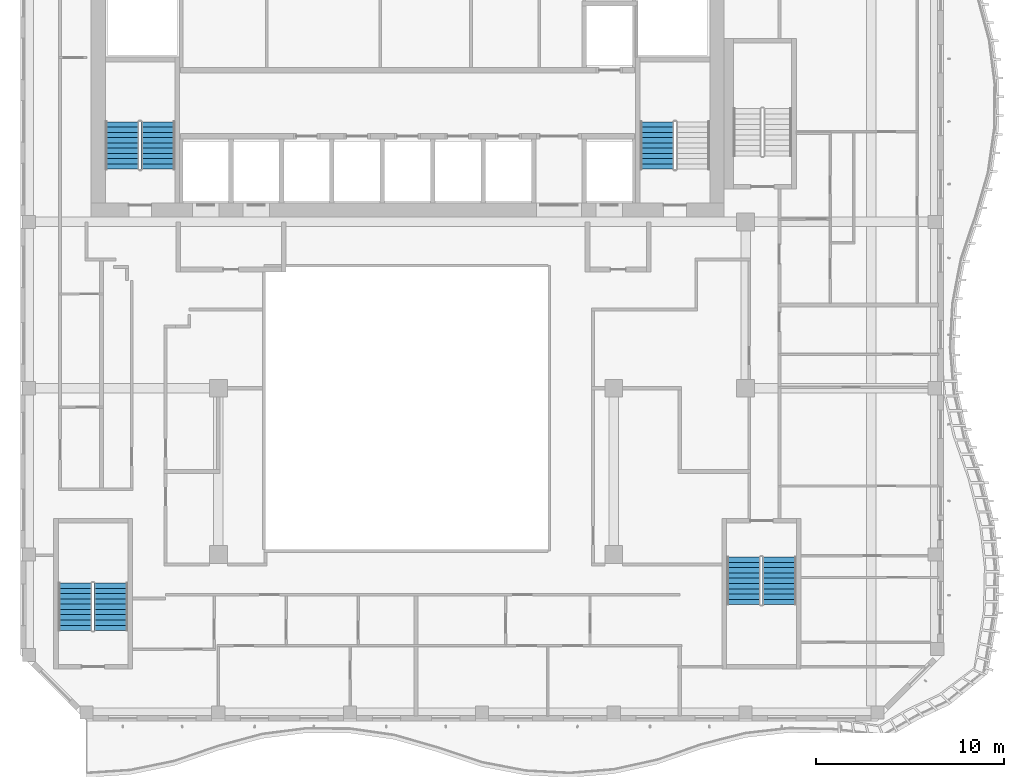
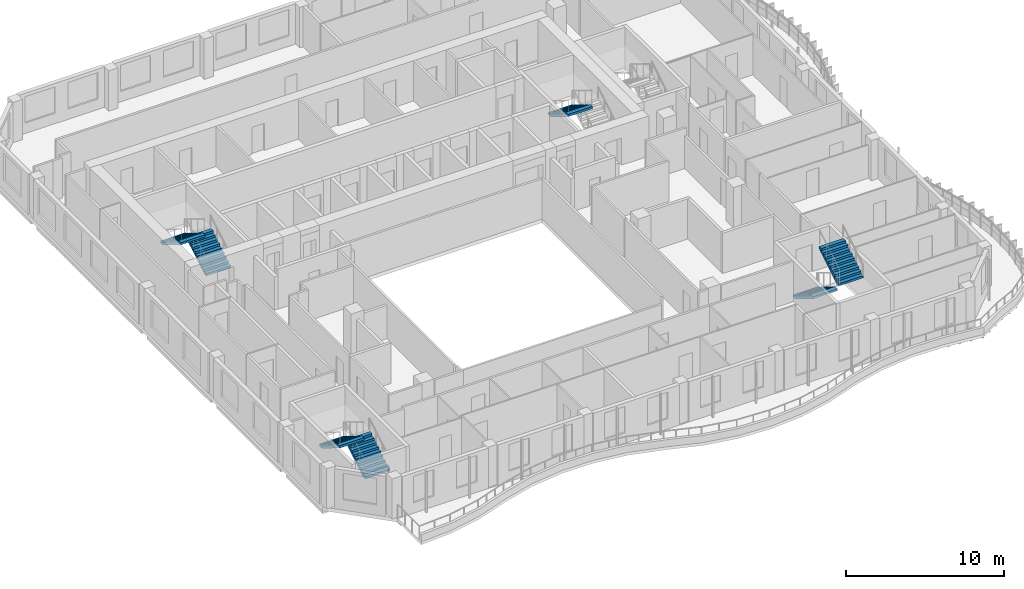
# One storey, part 10 of 19: 7 stair flights, 4 elements without a shape of their own.
"""IFC4 building model written with IfcOpenShell, lengths in metres."""

import ifcopenshell
import ifcopenshell.guid

model = None  # the IFC model being written
_history = None  # IfcOwnerHistory: only IFC2X3 demands one
_inside = {}  # id of a spatial element -> (the spatial element, [elements in it])
_under = {}  # id of a project, library or spatial element -> (it, [spatial elements below it])
_declared = {}  # id of a project -> (the project, [libraries it declares])
_typed = {}  # id of a type object -> (the type object, [elements of that type])
_made_of = {}  # id of a material, layer set ... -> (it, [elements and type objects made of it])


def new_model(schema):
    """Start an empty IFC model of exactly this schema.

    Asked for "IFC4X3", IfcOpenShell would pick the latest addendum, in which some entities
    have other attributes; the version numbers below select the first issue.
    IFC2X3 requires an IfcOwnerHistory on every rooted entity: one is made here for all.
    """
    global model, _history
    if schema == "IFC4X3":
        model = ifcopenshell.file(schema_version=(4, 3, 0, 0))
    else:
        model = ifcopenshell.file(schema=schema)
    _inside.clear()
    _under.clear()
    _declared.clear()
    _typed.clear()
    _made_of.clear()
    _history = None
    if model.schema == "IFC2X3":
        org = make("IfcOrganization", Name="unknown")
        user = make(
            "IfcPersonAndOrganization",
            ThePerson=make("IfcPerson", FamilyName="unknown"),
            TheOrganization=org,
        )
        app = make(
            "IfcApplication",
            ApplicationDeveloper=org,
            Version="unknown",
            ApplicationFullName="unknown",
            ApplicationIdentifier="unknown",
        )
        _history = make(
            "IfcOwnerHistory",
            OwningUser=user,
            OwningApplication=app,
            ChangeAction="ADDED",
            CreationDate=0,
        )
    return model


def make(cls, **values):
    """One entity of the class cls with the attributes given. An attribute that is None is left unset."""
    return model.create_entity(
        cls, **{name: value for name, value in values.items() if value is not None}
    )


def rooted(cls, **values):
    """An entity with a GlobalId (a new one), such as an element, a storey or a relation."""
    return make(cls, GlobalId=ifcopenshell.guid.new(), OwnerHistory=_history, **values)


def si_unit(unit_type, name, prefix=None):
    """IfcSIUnit, for example si_unit("LENGTHUNIT", "METRE", prefix="MILLI")."""
    return make("IfcSIUnit", UnitType=unit_type, Prefix=prefix, Name=name)


def assignment(units):
    """IfcUnitAssignment: the units of a project."""
    return None if units is None else make("IfcUnitAssignment", Units=units)


def point(xyz):
    """IfcCartesianPoint."""
    return None if xyz is None else make("IfcCartesianPoint", Coordinates=xyz)


def direction(xyz):
    """IfcDirection."""
    return None if xyz is None else make("IfcDirection", DirectionRatios=xyz)


def frame(location, z_axis=None, x_axis=None):
    """IfcAxis2Placement3D, a coordinate frame: its origin and axes. An axis left out is left unset."""
    return make(
        "IfcAxis2Placement3D",
        Location=point(location),
        Axis=direction(z_axis),
        RefDirection=direction(x_axis),
    )


def origin():
    """The frame at (0, 0, 0) with its axes left unset."""
    return frame((0.0, 0.0, 0.0))


def place(relative_to, where):
    """IfcLocalPlacement: puts the frame where relative to a parent placement (None: the world)."""
    return make(
        "IfcLocalPlacement", PlacementRelTo=relative_to, RelativePlacement=where
    )


def context(
    kind, dimensions, precision=None, world=None, true_north=None, identifier=None
):
    """IfcGeometricRepresentationContext, for example the 3D "Model" context."""
    return make(
        "IfcGeometricRepresentationContext",
        ContextIdentifier=identifier,
        ContextType=kind,
        CoordinateSpaceDimension=dimensions,
        Precision=precision,
        WorldCoordinateSystem=world,
        TrueNorth=true_north,
    )


def subcontext(parent, identifier, kind, view, scale=None):
    """IfcGeometricRepresentationSubContext, for example "Body" below "Model"."""
    return make(
        "IfcGeometricRepresentationSubContext",
        ContextIdentifier=identifier,
        ContextType=kind,
        ParentContext=parent,
        TargetScale=scale,
        TargetView=view,
    )


def project(units=None, contexts=None):
    """IfcProject with its units and contexts."""
    return rooted(
        "IfcProject",
        Name="project",
        RepresentationContexts=contexts,
        UnitsInContext=assignment(units),
    )


def spatial(cls, under=None, at=None, **own):
    """A site, building, storey or space (cls), placed at a placement, below another one or the project."""
    s = rooted(cls, ObjectPlacement=at, **own)
    if under is not None:
        _under.setdefault(under.id(), (under, []))[1].append(s)
    return s


def point_list(points):
    """IfcCartesianPointList2D or 3D."""
    cls = (
        "IfcCartesianPointList2D" if len(points[0]) == 2 else "IfcCartesianPointList3D"
    )
    return make(cls, CoordList=points)


def triangles(points, corners, closed=None, point_numbers=None):
    """IfcTriangulatedFaceSet: each triangle names its three corners, points numbered from 1."""
    return make(
        "IfcTriangulatedFaceSet",
        Coordinates=point_list(points),
        Closed=closed,
        CoordIndex=corners,
        PnIndex=point_numbers,
    )


def shape(context_of_items, identifier, shape_type, items):
    """IfcShapeRepresentation: the items that make up one representation, for example the "Body"."""
    return make(
        "IfcShapeRepresentation",
        ContextOfItems=context_of_items,
        RepresentationIdentifier=identifier,
        RepresentationType=shape_type,
        Items=items,
    )


def source(mapping_origin, context_of_items, identifier, shape_type, items):
    """IfcRepresentationMap: a shape defined once, which mapped items show again and again."""
    return make(
        "IfcRepresentationMap",
        MappingOrigin=mapping_origin,
        MappedRepresentation=shape(context_of_items, identifier, shape_type, items),
    )


def transform(
    local_origin,
    x_axis=None,
    y_axis=None,
    z_axis=None,
    scale=None,
    scale2=None,
    scale3=None,
    uniform=True,
):
    """IfcCartesianTransformationOperator3D, or its non-uniform kind. x_axis, y_axis, z_axis: its Axis1, 2, 3."""
    if uniform:
        return make(
            "IfcCartesianTransformationOperator3D",
            Axis1=direction(x_axis),
            Axis2=direction(y_axis),
            LocalOrigin=point(local_origin),
            Scale=scale,
            Axis3=direction(z_axis),
        )
    return make(
        "IfcCartesianTransformationOperator3DnonUniform",
        Axis1=direction(x_axis),
        Axis2=direction(y_axis),
        LocalOrigin=point(local_origin),
        Scale=scale,
        Axis3=direction(z_axis),
        Scale2=scale2,
        Scale3=scale3,
    )


def mapped(mapping_source, mapping_target):
    """IfcMappedItem: shows the shape of a source again, moved by a transform."""
    return make(
        "IfcMappedItem", MappingSource=mapping_source, MappingTarget=mapping_target
    )


def material(Name=None, Category=None):
    """IfcMaterial."""
    return make("IfcMaterial", Name=Name, Category=Category)


def made_of(thing, what):
    """Note that an element or type object is made of a material, layer set ...; save() writes the relation."""
    if what is not None:
        _made_of.setdefault(what.id(), (what, []))[1].append(thing)
    return thing


def type_object(cls, material=None, **own):
    """A type object (cls), such as IfcWallType, which elements share."""
    return made_of(rooted(cls, **own), material)


def element(
    cls,
    number,
    at=None,
    inside=None,
    cuts=None,
    type_object=None,
    material=None,
    context=None,
    identifier="Body",
    shape_type=None,
    held_by="IfcProductDefinitionShape",
    body=None,
    shapes=None,
    **own,
):
    """One element of the class cls, such as IfcWall. Its Tag is "e" and its number.

    at: its placement. inside: the storey or other place that contains it. cuts: it is an
    opening in that element (IfcRelVoidsElement). A single representation is given by context,
    identifier, shape_type and body (its items); several are given by shapes. held_by: the class
    of the entity that holds the representations. save() writes the other relations.
    """
    e = rooted(cls, Tag="e%d" % number, ObjectPlacement=at, **own)
    if body is not None:
        shapes = [shape(context, identifier, shape_type, body)]
    if shapes is not None:
        e.Representation = make(held_by, Representations=shapes)
    if inside is not None:
        _inside.setdefault(inside.id(), (inside, []))[1].append(e)
    if cuts is not None:
        rooted(
            "IfcRelVoidsElement", RelatingBuildingElement=cuts, RelatedOpeningElement=e
        )
    if type_object is not None:
        _typed.setdefault(type_object.id(), (type_object, []))[1].append(e)
    return made_of(e, material)


def aggregate(whole, parts):
    """IfcRelAggregates: a whole, such as a stair, and the parts it consists of."""
    return rooted("IfcRelAggregates", RelatingObject=whole, RelatedObjects=parts)


def save(model, path):
    """Write the relations noted so far, then the file.

    IfcRelAggregates (storeys below a building ...), IfcRelContainedInSpatialStructure (elements
    in a storey), IfcRelDefinesByType, IfcRelAssociatesMaterial and IfcRelDeclares: one each for
    every whole, place, type object, material and project.
    """
    for whole, parts in _under.values():
        aggregate(whole, parts)
    for where, things in _inside.values():
        rooted(
            "IfcRelContainedInSpatialStructure",
            RelatedElements=things,
            RelatingStructure=where,
        )
    for kind, things in _typed.values():
        rooted("IfcRelDefinesByType", RelatedObjects=things, RelatingType=kind)
    for what, things in _made_of.values():
        rooted("IfcRelAssociatesMaterial", RelatedObjects=things, RelatingMaterial=what)
    for by, libraries in _declared.values():
        rooted("IfcRelDeclares", RelatingContext=by, RelatedDefinitions=libraries)
    model.write(path)


model = new_model("IFC4")

# Units and contexts
model_context = context("Model", 3, precision=1e-05, world=origin(), true_north=direction((0.0, 1.0)))
body_context = subcontext(model_context, "Body", "Model", "MODEL_VIEW")
ifc_project = project(units=[si_unit("LENGTHUNIT", "METRE"), si_unit("AREAUNIT", "SQUARE_METRE"), si_unit("VOLUMEUNIT", "CUBIC_METRE"), si_unit("PLANEANGLEUNIT", "RADIAN"), si_unit("MASSUNIT", "GRAM", prefix="KILO")], contexts=[model_context])

# Site, building, storey
site_placement = place(None, origin())
site = spatial("IfcSite", under=ifc_project, at=site_placement, CompositionType="ELEMENT")
building_placement = place(site_placement, origin())
building = spatial("IfcBuilding", under=site, at=building_placement, Name="Kilnfold Tower and Market Hall", CompositionType="ELEMENT")
storey_placement = place(building_placement, frame((0.0, 0.0, 252.60009765625)))
storey = spatial("IfcBuildingStorey", under=building, at=storey_placement, Name="L61", CompositionType="ELEMENT", Elevation=252.60009765625)

# Stair, stair flights
ifc_material_1 = material(Name="Concrete C40/50", Category="concrete")
stair_type = type_object("IfcStairType", Name="CORE STAIR 1800", PredefinedType="HALF_TURN_STAIR", material=ifc_material_1)
stair_1_placement = place(storey_placement, origin())
stair_1 = element("IfcStair", 1, at=stair_1_placement, inside=storey, type_object=stair_type, Name="L61 ST1", PredefinedType="HALF_TURN_STAIR")
ifc_material_2 = material(Name="Concrete C40/50", Category="concrete")
stair_flight_type = type_object("IfcStairFlightType", Name="CORE STAIR FLIGHT 1800", PredefinedType="STRAIGHT", material=ifc_material_2)
shared_shape = source(origin(), body_context, "Body", "Tessellation", [
    triangles([(0.0, 0.89990234375, 0.0), (0.0, 0.78759765625, 0.0), (0.0, 0.675048828125, 0.0), (0.0, 0.5625, 0.0), (0.0, 0.449951171875, 0.0), (0.0, 0.33740234375, 0.0), (0.0, 0.22509765625, 0.0), (0.0, 0.112548828125, 0.0), (0.0, 0.0, 0.0), (0.0, -0.112548828125, 0.0), (0.0, -0.22509765625, 0.0), (0.0, -0.33740234375, 0.0), (0.0, -0.449951171875, 0.0), (0.0, -0.5625, 0.0), (0.0, -0.675048828125, 0.0), (0.0, -0.78759765625, 0.0), (0.0, -0.89990234375, 0.0), (0.0, 0.89990234375, 0.169921875), (0.0, 0.78759765625, 0.169921875), (0.0, 0.675048828125, 0.169921875), (0.0, 0.5625, 0.169921875), (0.0, 0.449951171875, 0.169921875), (0.0, 0.33740234375, 0.169921875), (0.0, 0.22509765625, 0.169921875), (0.0, 0.112548828125, 0.169921875), (0.0, 0.0, 0.169921875), (0.0, -0.112548828125, 0.169921875), (0.0, -0.22509765625, 0.169921875), (0.0, -0.33740234375, 0.169921875), (0.0, -0.449951171875, 0.169921875), (0.0, -0.5625, 0.169921875), (0.0, -0.675048828125, 0.169921875), (0.0, -0.78759765625, 0.169921875), (0.0, -0.89990234375, 0.169921875), (0.280029296875, 0.89990234375, 0.169921875), (0.280029296875, 0.78759765625, 0.169921875), (0.280029296875, 0.675048828125, 0.169921875), (0.280029296875, 0.5625, 0.169921875), (0.280029296875, 0.449951171875, 0.169921875), (0.280029296875, 0.33740234375, 0.169921875), (0.280029296875, 0.22509765625, 0.169921875), (0.280029296875, 0.112548828125, 0.169921875), (0.280029296875, 0.0, 0.169921875), (0.280029296875, -0.112548828125, 0.169921875), (0.280029296875, -0.22509765625, 0.169921875), (0.280029296875, -0.33740234375, 0.169921875), (0.280029296875, -0.449951171875, 0.169921875), (0.280029296875, -0.5625, 0.169921875), (0.280029296875, -0.675048828125, 0.169921875), (0.280029296875, -0.78759765625, 0.169921875), (0.280029296875, -0.89990234375, 0.169921875), (0.280029296875, 0.89990234375, 0.340087890625), (0.280029296875, 0.78759765625, 0.340087890625), (0.280029296875, 0.675048828125, 0.340087890625), (0.280029296875, 0.5625, 0.340087890625), (0.280029296875, 0.449951171875, 0.340087890625), (0.280029296875, 0.33740234375, 0.340087890625), (0.280029296875, 0.22509765625, 0.340087890625), (0.280029296875, 0.112548828125, 0.340087890625), (0.280029296875, 0.0, 0.340087890625), (0.280029296875, -0.112548828125, 0.340087890625), (0.280029296875, -0.22509765625, 0.340087890625), (0.280029296875, -0.33740234375, 0.340087890625), (0.280029296875, -0.449951171875, 0.340087890625), (0.280029296875, -0.5625, 0.340087890625), (0.280029296875, -0.675048828125, 0.340087890625), (0.280029296875, -0.78759765625, 0.340087890625), (0.280029296875, -0.89990234375, 0.340087890625), (0.56005859375, 0.89990234375, 0.340087890625), (0.56005859375, 0.78759765625, 0.340087890625), (0.56005859375, 0.675048828125, 0.340087890625), (0.56005859375, 0.5625, 0.340087890625), (0.56005859375, 0.449951171875, 0.340087890625), (0.56005859375, 0.33740234375, 0.340087890625), (0.56005859375, 0.22509765625, 0.340087890625), (0.56005859375, 0.112548828125, 0.340087890625), (0.56005859375, 0.0, 0.340087890625), (0.56005859375, -0.112548828125, 0.340087890625), (0.56005859375, -0.22509765625, 0.340087890625), (0.56005859375, -0.33740234375, 0.340087890625), (0.56005859375, -0.449951171875, 0.340087890625), (0.56005859375, -0.5625, 0.340087890625), (0.56005859375, -0.675048828125, 0.340087890625), (0.56005859375, -0.78759765625, 0.340087890625), (0.56005859375, -0.89990234375, 0.340087890625), (0.56005859375, 0.89990234375, 0.510009765625), (0.56005859375, 0.78759765625, 0.510009765625), (0.56005859375, 0.675048828125, 0.510009765625), (0.56005859375, 0.5625, 0.510009765625), (0.56005859375, 0.449951171875, 0.510009765625), (0.56005859375, 0.33740234375, 0.510009765625), (0.56005859375, 0.22509765625, 0.510009765625), (0.56005859375, 0.112548828125, 0.510009765625), (0.56005859375, 0.0, 0.510009765625), (0.56005859375, -0.112548828125, 0.510009765625), (0.56005859375, -0.22509765625, 0.510009765625), (0.56005859375, -0.33740234375, 0.510009765625), (0.56005859375, -0.449951171875, 0.510009765625), (0.56005859375, -0.5625, 0.510009765625), (0.56005859375, -0.675048828125, 0.510009765625), (0.56005859375, -0.78759765625, 0.510009765625), (0.56005859375, -0.89990234375, 0.510009765625), (0.840087890625, 0.89990234375, 0.510009765625), (0.840087890625, 0.78759765625, 0.510009765625), (0.840087890625, 0.675048828125, 0.510009765625), (0.840087890625, 0.5625, 0.510009765625), (0.840087890625, 0.449951171875, 0.510009765625), (0.840087890625, 0.33740234375, 0.510009765625), (0.840087890625, 0.22509765625, 0.510009765625), (0.840087890625, 0.112548828125, 0.510009765625), (0.840087890625, 0.0, 0.510009765625), (0.840087890625, -0.112548828125, 0.510009765625), (0.840087890625, -0.22509765625, 0.510009765625), (0.840087890625, -0.33740234375, 0.510009765625), (0.840087890625, -0.449951171875, 0.510009765625), (0.840087890625, -0.5625, 0.510009765625), (0.840087890625, -0.675048828125, 0.510009765625), (0.840087890625, -0.78759765625, 0.510009765625), (0.840087890625, -0.89990234375, 0.510009765625), (0.840087890625, 0.89990234375, 0.679931640625), (0.840087890625, 0.78759765625, 0.679931640625), (0.840087890625, 0.675048828125, 0.679931640625), (0.840087890625, 0.5625, 0.679931640625), (0.840087890625, 0.449951171875, 0.679931640625), (0.840087890625, 0.33740234375, 0.679931640625), (0.840087890625, 0.22509765625, 0.679931640625), (0.840087890625, 0.112548828125, 0.679931640625), (0.840087890625, 0.0, 0.679931640625), (0.840087890625, -0.112548828125, 0.679931640625), (0.840087890625, -0.22509765625, 0.679931640625), (0.840087890625, -0.33740234375, 0.679931640625), (0.840087890625, -0.449951171875, 0.679931640625), (0.840087890625, -0.5625, 0.679931640625), (0.840087890625, -0.675048828125, 0.679931640625), (0.840087890625, -0.78759765625, 0.679931640625), (0.840087890625, -0.89990234375, 0.679931640625), (1.1201171875, 0.89990234375, 0.679931640625), (1.1201171875, 0.78759765625, 0.679931640625), (1.1201171875, 0.675048828125, 0.679931640625), (1.1201171875, 0.5625, 0.679931640625), (1.1201171875, 0.449951171875, 0.679931640625), (1.1201171875, 0.33740234375, 0.679931640625), (1.1201171875, 0.22509765625, 0.679931640625), (1.1201171875, 0.112548828125, 0.679931640625), (1.1201171875, 0.0, 0.679931640625), (1.1201171875, -0.112548828125, 0.679931640625), (1.1201171875, -0.22509765625, 0.679931640625), (1.1201171875, -0.33740234375, 0.679931640625), (1.1201171875, -0.449951171875, 0.679931640625), (1.1201171875, -0.5625, 0.679931640625), (1.1201171875, -0.675048828125, 0.679931640625), (1.1201171875, -0.78759765625, 0.679931640625), (1.1201171875, -0.89990234375, 0.679931640625), (1.1201171875, 0.89990234375, 0.85009765625), (1.1201171875, 0.78759765625, 0.85009765625), (1.1201171875, 0.675048828125, 0.85009765625), (1.1201171875, 0.5625, 0.85009765625), (1.1201171875, 0.449951171875, 0.85009765625), (1.1201171875, 0.33740234375, 0.85009765625), (1.1201171875, 0.22509765625, 0.85009765625), (1.1201171875, 0.112548828125, 0.85009765625), (1.1201171875, 0.0, 0.85009765625), (1.1201171875, -0.112548828125, 0.85009765625), (1.1201171875, -0.22509765625, 0.85009765625), (1.1201171875, -0.33740234375, 0.85009765625), (1.1201171875, -0.449951171875, 0.85009765625), (1.1201171875, -0.5625, 0.85009765625), (1.1201171875, -0.675048828125, 0.85009765625), (1.1201171875, -0.78759765625, 0.85009765625), (1.1201171875, -0.89990234375, 0.85009765625), (1.39990234375, 0.89990234375, 0.85009765625), (1.39990234375, 0.78759765625, 0.85009765625), (1.39990234375, 0.675048828125, 0.85009765625), (1.39990234375, 0.5625, 0.85009765625), (1.39990234375, 0.449951171875, 0.85009765625), (1.39990234375, 0.33740234375, 0.85009765625), (1.39990234375, 0.22509765625, 0.85009765625), (1.39990234375, 0.112548828125, 0.85009765625), (1.39990234375, 0.0, 0.85009765625), (1.39990234375, -0.112548828125, 0.85009765625), (1.39990234375, -0.22509765625, 0.85009765625), (1.39990234375, -0.33740234375, 0.85009765625), (1.39990234375, -0.449951171875, 0.85009765625), (1.39990234375, -0.5625, 0.85009765625), (1.39990234375, -0.675048828125, 0.85009765625), (1.39990234375, -0.78759765625, 0.85009765625), (1.39990234375, -0.89990234375, 0.85009765625), (1.39990234375, 0.89990234375, 1.02001953125), (1.39990234375, 0.78759765625, 1.02001953125), (1.39990234375, 0.675048828125, 1.02001953125), (1.39990234375, 0.5625, 1.02001953125), (1.39990234375, 0.449951171875, 1.02001953125), (1.39990234375, 0.33740234375, 1.02001953125), (1.39990234375, 0.22509765625, 1.02001953125), (1.39990234375, 0.112548828125, 1.02001953125), (1.39990234375, 0.0, 1.02001953125), (1.39990234375, -0.112548828125, 1.02001953125), (1.39990234375, -0.22509765625, 1.02001953125), (1.39990234375, -0.33740234375, 1.02001953125), (1.39990234375, -0.449951171875, 1.02001953125), (1.39990234375, -0.5625, 1.02001953125), (1.39990234375, -0.675048828125, 1.02001953125), (1.39990234375, -0.78759765625, 1.02001953125), (1.39990234375, -0.89990234375, 1.02001953125), (1.679931640625, 0.89990234375, 1.02001953125), (1.679931640625, 0.78759765625, 1.02001953125), (1.679931640625, 0.675048828125, 1.02001953125), (1.679931640625, 0.5625, 1.02001953125), (1.679931640625, 0.449951171875, 1.02001953125), (1.679931640625, 0.33740234375, 1.02001953125), (1.679931640625, 0.22509765625, 1.02001953125), (1.679931640625, 0.112548828125, 1.02001953125), (1.679931640625, 0.0, 1.02001953125), (1.679931640625, -0.112548828125, 1.02001953125), (1.679931640625, -0.22509765625, 1.02001953125), (1.679931640625, -0.33740234375, 1.02001953125), (1.679931640625, -0.449951171875, 1.02001953125), (1.679931640625, -0.5625, 1.02001953125), (1.679931640625, -0.675048828125, 1.02001953125), (1.679931640625, -0.78759765625, 1.02001953125), (1.679931640625, -0.89990234375, 1.02001953125), (1.679931640625, 0.89990234375, 1.18994140625), (1.679931640625, 0.78759765625, 1.18994140625), (1.679931640625, 0.675048828125, 1.18994140625), (1.679931640625, 0.5625, 1.18994140625), (1.679931640625, 0.449951171875, 1.18994140625), (1.679931640625, 0.33740234375, 1.18994140625), (1.679931640625, 0.22509765625, 1.18994140625), (1.679931640625, 0.112548828125, 1.18994140625), (1.679931640625, 0.0, 1.18994140625), (1.679931640625, -0.112548828125, 1.18994140625), (1.679931640625, -0.22509765625, 1.18994140625), (1.679931640625, -0.33740234375, 1.18994140625), (1.679931640625, -0.449951171875, 1.18994140625), (1.679931640625, -0.5625, 1.18994140625), (1.679931640625, -0.675048828125, 1.18994140625), (1.679931640625, -0.78759765625, 1.18994140625), (1.679931640625, -0.89990234375, 1.18994140625), (1.9599609375, 0.89990234375, 1.18994140625), (1.9599609375, 0.78759765625, 1.18994140625), (1.9599609375, 0.675048828125, 1.18994140625), (1.9599609375, 0.5625, 1.18994140625), (1.9599609375, 0.449951171875, 1.18994140625), (1.9599609375, 0.33740234375, 1.18994140625), (1.9599609375, 0.22509765625, 1.18994140625), (1.9599609375, 0.112548828125, 1.18994140625), (1.9599609375, 0.0, 1.18994140625), (1.9599609375, -0.112548828125, 1.18994140625), (1.9599609375, -0.22509765625, 1.18994140625), (1.9599609375, -0.33740234375, 1.18994140625), (1.9599609375, -0.449951171875, 1.18994140625), (1.9599609375, -0.5625, 1.18994140625), (1.9599609375, -0.675048828125, 1.18994140625), (1.9599609375, -0.78759765625, 1.18994140625), (1.9599609375, -0.89990234375, 1.18994140625), (1.9599609375, 0.89990234375, 1.360107421875), (1.9599609375, 0.78759765625, 1.360107421875), (1.9599609375, 0.675048828125, 1.360107421875), (1.9599609375, 0.5625, 1.360107421875), (1.9599609375, 0.449951171875, 1.360107421875), (1.9599609375, 0.33740234375, 1.360107421875), (1.9599609375, 0.22509765625, 1.360107421875), (1.9599609375, 0.112548828125, 1.360107421875), (1.9599609375, 0.0, 1.360107421875), (1.9599609375, -0.112548828125, 1.360107421875), (1.9599609375, -0.22509765625, 1.360107421875), (1.9599609375, -0.33740234375, 1.360107421875), (1.9599609375, -0.449951171875, 1.360107421875), (1.9599609375, -0.5625, 1.360107421875), (1.9599609375, -0.675048828125, 1.360107421875), (1.9599609375, -0.78759765625, 1.360107421875), (1.9599609375, -0.89990234375, 1.360107421875), (2.239990234375, 0.89990234375, 1.360107421875), (2.239990234375, 0.78759765625, 1.360107421875), (2.239990234375, 0.675048828125, 1.360107421875), (2.239990234375, 0.5625, 1.360107421875), (2.239990234375, 0.449951171875, 1.360107421875), (2.239990234375, 0.33740234375, 1.360107421875), (2.239990234375, 0.22509765625, 1.360107421875), (2.239990234375, 0.112548828125, 1.360107421875), (2.239990234375, 0.0, 1.360107421875), (2.239990234375, -0.112548828125, 1.360107421875), (2.239990234375, -0.22509765625, 1.360107421875), (2.239990234375, -0.33740234375, 1.360107421875), (2.239990234375, -0.449951171875, 1.360107421875), (2.239990234375, -0.5625, 1.360107421875), (2.239990234375, -0.675048828125, 1.360107421875), (2.239990234375, -0.78759765625, 1.360107421875), (2.239990234375, -0.89990234375, 1.360107421875), (2.239990234375, 0.89990234375, 1.530029296875), (2.239990234375, 0.78759765625, 1.530029296875), (2.239990234375, 0.675048828125, 1.530029296875), (2.239990234375, 0.5625, 1.530029296875), (2.239990234375, 0.449951171875, 1.530029296875), (2.239990234375, 0.33740234375, 1.530029296875), (2.239990234375, 0.22509765625, 1.530029296875), (2.239990234375, 0.112548828125, 1.530029296875), (2.239990234375, 0.0, 1.530029296875), (2.239990234375, -0.112548828125, 1.530029296875), (2.239990234375, -0.22509765625, 1.530029296875), (2.239990234375, -0.33740234375, 1.530029296875), (2.239990234375, -0.449951171875, 1.530029296875), (2.239990234375, -0.5625, 1.530029296875), (2.239990234375, -0.675048828125, 1.530029296875), (2.239990234375, -0.78759765625, 1.530029296875), (2.239990234375, -0.89990234375, 1.530029296875), (2.52001953125, 0.89990234375, 1.530029296875), (2.52001953125, 0.78759765625, 1.530029296875), (2.52001953125, 0.675048828125, 1.530029296875), (2.52001953125, 0.5625, 1.530029296875), (2.52001953125, 0.449951171875, 1.530029296875), (2.52001953125, 0.33740234375, 1.530029296875), (2.52001953125, 0.22509765625, 1.530029296875), (2.52001953125, 0.112548828125, 1.530029296875), (2.52001953125, 0.0, 1.530029296875), (2.52001953125, -0.112548828125, 1.530029296875), (2.52001953125, -0.22509765625, 1.530029296875), (2.52001953125, -0.33740234375, 1.530029296875), (2.52001953125, -0.449951171875, 1.530029296875), (2.52001953125, -0.5625, 1.530029296875), (2.52001953125, -0.675048828125, 1.530029296875), (2.52001953125, -0.78759765625, 1.530029296875), (2.52001953125, -0.89990234375, 1.530029296875), (2.52001953125, 0.89990234375, 1.354736328125), (2.52001953125, 0.78759765625, 1.354736328125), (2.52001953125, 0.675048828125, 1.354736328125), (2.52001953125, 0.5625, 1.354736328125), (2.52001953125, 0.449951171875, 1.354736328125), (2.52001953125, 0.33740234375, 1.354736328125), (2.52001953125, 0.22509765625, 1.354736328125), (2.52001953125, 0.112548828125, 1.354736328125), (2.52001953125, 0.0, 1.354736328125), (2.52001953125, -0.112548828125, 1.354736328125), (2.52001953125, -0.22509765625, 1.354736328125), (2.52001953125, -0.33740234375, 1.354736328125), (2.52001953125, -0.449951171875, 1.354736328125), (2.52001953125, -0.5625, 1.354736328125), (2.52001953125, -0.675048828125, 1.354736328125), (2.52001953125, -0.78759765625, 1.354736328125), (2.52001953125, -0.89990234375, 1.354736328125), (0.288818359375, 0.89990234375, 0.0), (0.288818359375, 0.78759765625, 0.0), (0.288818359375, 0.675048828125, 0.0), (0.288818359375, 0.5625, 0.0), (0.288818359375, 0.449951171875, 0.0), (0.288818359375, 0.33740234375, 0.0), (0.288818359375, 0.22509765625, 0.0), (0.288818359375, 0.112548828125, 0.0), (0.288818359375, 0.0, 0.0), (0.288818359375, -0.112548828125, 0.0), (0.288818359375, -0.22509765625, 0.0), (0.288818359375, -0.33740234375, 0.0), (0.288818359375, -0.449951171875, 0.0), (0.288818359375, -0.5625, 0.0), (0.288818359375, -0.675048828125, 0.0), (0.288818359375, -0.78759765625, 0.0), (0.288818359375, -0.89990234375, 0.0)], [[1, 324, 341], [17, 357, 340], [324, 290, 307], [340, 323, 306], [324, 273, 290], [340, 306, 289], [324, 256, 273], [340, 289, 272], [324, 239, 256], [340, 272, 255], [239, 205, 222], [255, 238, 221], [324, 205, 239], [340, 255, 221], [205, 171, 188], [221, 204, 187], [324, 171, 205], [340, 221, 187], [171, 137, 154], [187, 170, 153], [324, 137, 171], [340, 187, 153], [137, 103, 120], [153, 136, 119], [324, 103, 137], [340, 153, 119], [103, 69, 86], [119, 102, 85], [324, 69, 103], [340, 119, 85], [69, 35, 52], [85, 68, 51], [324, 35, 69], [340, 85, 51], [1, 35, 324], [17, 340, 51], [35, 1, 18], [51, 34, 17], [1, 19, 18], [1, 2, 19], [2, 20, 19], [2, 3, 20], [3, 21, 20], [3, 4, 21], [4, 22, 21], [4, 5, 22], [5, 23, 22], [5, 6, 23], [6, 24, 23], [6, 7, 24], [7, 25, 24], [7, 8, 25], [8, 26, 25], [8, 9, 26], [9, 27, 26], [9, 10, 27], [10, 28, 27], [10, 11, 28], [11, 29, 28], [11, 12, 29], [12, 30, 29], [12, 13, 30], [13, 31, 30], [13, 14, 31], [14, 32, 31], [14, 15, 32], [15, 33, 32], [15, 16, 33], [16, 34, 33], [16, 17, 34], [18, 36, 35], [18, 19, 36], [19, 37, 36], [19, 20, 37], [20, 38, 37], [20, 21, 38], [21, 39, 38], [21, 22, 39], [22, 40, 39], [22, 23, 40], [23, 41, 40], [23, 24, 41], [24, 42, 41], [24, 25, 42], [25, 43, 42], [25, 26, 43], [26, 44, 43], [26, 27, 44], [27, 45, 44], [27, 28, 45], [28, 46, 45], [28, 29, 46], [29, 47, 46], [29, 30, 47], [30, 48, 47], [30, 31, 48], [31, 49, 48], [31, 32, 49], [32, 50, 49], [32, 33, 50], [33, 51, 50], [33, 34, 51], [35, 53, 52], [35, 36, 53], [36, 54, 53], [36, 37, 54], [37, 55, 54], [37, 38, 55], [38, 56, 55], [38, 39, 56], [39, 57, 56], [39, 40, 57], [40, 58, 57], [40, 41, 58], [41, 59, 58], [41, 42, 59], [42, 60, 59], [42, 43, 60], [43, 61, 60], [43, 44, 61], [44, 62, 61], [44, 45, 62], [45, 63, 62], [45, 46, 63], [46, 64, 63], [46, 47, 64], [47, 65, 64], [47, 48, 65], [48, 66, 65], [48, 49, 66], [49, 67, 66], [49, 50, 67], [50, 68, 67], [50, 51, 68], [52, 70, 69], [52, 53, 70], [53, 71, 70], [53, 54, 71], [54, 72, 71], [54, 55, 72], [55, 73, 72], [55, 56, 73], [56, 74, 73], [56, 57, 74], [57, 75, 74], [57, 58, 75], [58, 76, 75], [58, 59, 76], [59, 77, 76], [59, 60, 77], [60, 78, 77], [60, 61, 78], [61, 79, 78], [61, 62, 79], [62, 80, 79], [62, 63, 80], [63, 81, 80], [63, 64, 81], [64, 82, 81], [64, 65, 82], [65, 83, 82], [65, 66, 83], [66, 84, 83], [66, 67, 84], [67, 85, 84], [67, 68, 85], [69, 87, 86], [69, 70, 87], [70, 88, 87], [70, 71, 88], [71, 89, 88], [71, 72, 89], [72, 90, 89], [72, 73, 90], [73, 91, 90], [73, 74, 91], [74, 92, 91], [74, 75, 92], [75, 93, 92], [75, 76, 93], [76, 94, 93], [76, 77, 94], [77, 95, 94], [77, 78, 95], [78, 96, 95], [78, 79, 96], [79, 97, 96], [79, 80, 97], [80, 98, 97], [80, 81, 98], [81, 99, 98], [81, 82, 99], [82, 100, 99], [82, 83, 100], [83, 101, 100], [83, 84, 101], [84, 102, 101], [84, 85, 102], [86, 104, 103], [86, 87, 104], [87, 105, 104], [87, 88, 105], [88, 106, 105], [88, 89, 106], [89, 107, 106], [89, 90, 107], [90, 108, 107], [90, 91, 108], [91, 109, 108], [91, 92, 109], [92, 110, 109], [92, 93, 110], [93, 111, 110], [93, 94, 111], [94, 112, 111], [94, 95, 112], [95, 113, 112], [95, 96, 113], [96, 114, 113], [96, 97, 114], [97, 115, 114], [97, 98, 115], [98, 116, 115], [98, 99, 116], [99, 117, 116], [99, 100, 117], [100, 118, 117], [100, 101, 118], [101, 119, 118], [101, 102, 119], [103, 121, 120], [103, 104, 121], [104, 122, 121], [104, 105, 122], [105, 123, 122], [105, 106, 123], [106, 124, 123], [106, 107, 124], [107, 125, 124], [107, 108, 125], [108, 126, 125], [108, 109, 126], [109, 127, 126], [109, 110, 127], [110, 128, 127], [110, 111, 128], [111, 129, 128], [111, 112, 129], [112, 130, 129], [112, 113, 130], [113, 131, 130], [113, 114, 131], [114, 132, 131], [114, 115, 132], [115, 133, 132], [115, 116, 133], [116, 134, 133], [116, 117, 134], [117, 135, 134], [117, 118, 135], [118, 136, 135], [118, 119, 136], [120, 138, 137], [120, 121, 138], [121, 139, 138], [121, 122, 139], [122, 140, 139], [122, 123, 140], [123, 141, 140], [123, 124, 141], [124, 142, 141], [124, 125, 142], [125, 143, 142], [125, 126, 143], [126, 144, 143], [126, 127, 144], [127, 145, 144], [127, 128, 145], [128, 146, 145], [128, 129, 146], [129, 147, 146], [129, 130, 147], [130, 148, 147], [130, 131, 148], [131, 149, 148], [131, 132, 149], [132, 150, 149], [132, 133, 150], [133, 151, 150], [133, 134, 151], [134, 152, 151], [134, 135, 152], [135, 153, 152], [135, 136, 153], [137, 155, 154], [137, 138, 155], [138, 156, 155], [138, 139, 156], [139, 157, 156], [139, 140, 157], [140, 158, 157], [140, 141, 158], [141, 159, 158], [141, 142, 159], [142, 160, 159], [142, 143, 160], [143, 161, 160], [143, 144, 161], [144, 162, 161], [144, 145, 162], [145, 163, 162], [145, 146, 163], [146, 164, 163], [146, 147, 164], [147, 165, 164], [147, 148, 165], [148, 166, 165], [148, 149, 166], [149, 167, 166], [149, 150, 167], [150, 168, 167], [150, 151, 168], [151, 169, 168], [151, 152, 169], [152, 170, 169], [152, 153, 170], [154, 172, 171], [154, 155, 172], [155, 173, 172], [155, 156, 173], [156, 174, 173], [156, 157, 174], [157, 175, 174], [157, 158, 175], [158, 176, 175], [158, 159, 176], [159, 177, 176], [159, 160, 177], [160, 178, 177], [160, 161, 178], [161, 179, 178], [161, 162, 179], [162, 180, 179], [162, 163, 180], [163, 181, 180], [163, 164, 181], [164, 182, 181], [164, 165, 182], [165, 183, 182], [165, 166, 183], [166, 184, 183], [166, 167, 184], [167, 185, 184], [167, 168, 185], [168, 186, 185], [168, 169, 186], [169, 187, 186], [169, 170, 187], [171, 189, 188], [171, 172, 189], [172, 190, 189], [172, 173, 190], [173, 191, 190], [173, 174, 191], [174, 192, 191], [174, 175, 192], [175, 193, 192], [175, 176, 193], [176, 194, 193], [176, 177, 194], [177, 195, 194], [177, 178, 195], [178, 196, 195], [178, 179, 196], [179, 197, 196], [179, 180, 197], [180, 198, 197], [180, 181, 198], [181, 199, 198], [181, 182, 199], [182, 200, 199], [182, 183, 200], [183, 201, 200], [183, 184, 201], [184, 202, 201], [184, 185, 202], [185, 203, 202], [185, 186, 203], [186, 204, 203], [186, 187, 204], [188, 206, 205], [188, 189, 206], [189, 207, 206], [189, 190, 207], [190, 208, 207], [190, 191, 208], [191, 209, 208], [191, 192, 209], [192, 210, 209], [192, 193, 210], [193, 211, 210], [193, 194, 211], [194, 212, 211], [194, 195, 212], [195, 213, 212], [195, 196, 213], [196, 214, 213], [196, 197, 214], [197, 215, 214], [197, 198, 215], [198, 216, 215], [198, 199, 216], [199, 217, 216], [199, 200, 217], [200, 218, 217], [200, 201, 218], [201, 219, 218], [201, 202, 219], [202, 220, 219], [202, 203, 220], [203, 221, 220], [203, 204, 221], [205, 223, 222], [205, 206, 223], [206, 224, 223], [206, 207, 224], [207, 225, 224], [207, 208, 225], [208, 226, 225], [208, 209, 226], [209, 227, 226], [209, 210, 227], [210, 228, 227], [210, 211, 228], [211, 229, 228], [211, 212, 229], [212, 230, 229], [212, 213, 230], [213, 231, 230], [213, 214, 231], [214, 232, 231], [214, 215, 232], [215, 233, 232], [215, 216, 233], [216, 234, 233], [216, 217, 234], [217, 235, 234], [217, 218, 235], [218, 236, 235], [218, 219, 236], [219, 237, 236], [219, 220, 237], [220, 238, 237], [220, 221, 238], [222, 240, 239], [222, 223, 240], [223, 241, 240], [223, 224, 241], [224, 242, 241], [224, 225, 242], [225, 243, 242], [225, 226, 243], [226, 244, 243], [226, 227, 244], [227, 245, 244], [227, 228, 245], [228, 246, 245], [228, 229, 246], [229, 247, 246], [229, 230, 247], [230, 248, 247], [230, 231, 248], [231, 249, 248], [231, 232, 249], [232, 250, 249], [232, 233, 250], [233, 251, 250], [233, 234, 251], [234, 252, 251], [234, 235, 252], [235, 253, 252], [235, 236, 253], [236, 254, 253], [236, 237, 254], [237, 255, 254], [237, 238, 255], [239, 257, 256], [239, 240, 257], [240, 258, 257], [240, 241, 258], [241, 259, 258], [241, 242, 259], [242, 260, 259], [242, 243, 260], [243, 261, 260], [243, 244, 261], [244, 262, 261], [244, 245, 262], [245, 263, 262], [245, 246, 263], [246, 264, 263], [246, 247, 264], [247, 265, 264], [247, 248, 265], [248, 266, 265], [248, 249, 266], [249, 267, 266], [249, 250, 267], [250, 268, 267], [250, 251, 268], [251, 269, 268], [251, 252, 269], [252, 270, 269], [252, 253, 270], [253, 271, 270], [253, 254, 271], [254, 272, 271], [254, 255, 272], [256, 274, 273], [256, 257, 274], [257, 275, 274], [257, 258, 275], [258, 276, 275], [258, 259, 276], [259, 277, 276], [259, 260, 277], [260, 278, 277], [260, 261, 278], [261, 279, 278], [261, 262, 279], [262, 280, 279], [262, 263, 280], [263, 281, 280], [263, 264, 281], [264, 282, 281], [264, 265, 282], [265, 283, 282], [265, 266, 283], [266, 284, 283], [266, 267, 284], [267, 285, 284], [267, 268, 285], [268, 286, 285], [268, 269, 286], [269, 287, 286], [269, 270, 287], [270, 288, 287], [270, 271, 288], [271, 289, 288], [271, 272, 289], [273, 291, 290], [273, 274, 291], [274, 292, 291], [274, 275, 292], [275, 293, 292], [275, 276, 293], [276, 294, 293], [276, 277, 294], [277, 295, 294], [277, 278, 295], [278, 296, 295], [278, 279, 296], [279, 297, 296], [279, 280, 297], [280, 298, 297], [280, 281, 298], [281, 299, 298], [281, 282, 299], [282, 300, 299], [282, 283, 300], [283, 301, 300], [283, 284, 301], [284, 302, 301], [284, 285, 302], [285, 303, 302], [285, 286, 303], [286, 304, 303], [286, 287, 304], [287, 305, 304], [287, 288, 305], [288, 306, 305], [288, 289, 306], [290, 308, 307], [290, 291, 308], [291, 309, 308], [291, 292, 309], [292, 310, 309], [292, 293, 310], [293, 311, 310], [293, 294, 311], [294, 312, 311], [294, 295, 312], [295, 313, 312], [295, 296, 313], [296, 314, 313], [296, 297, 314], [297, 315, 314], [297, 298, 315], [298, 316, 315], [298, 299, 316], [299, 317, 316], [299, 300, 317], [300, 318, 317], [300, 301, 318], [301, 319, 318], [301, 302, 319], [302, 320, 319], [302, 303, 320], [303, 321, 320], [303, 304, 321], [304, 322, 321], [304, 305, 322], [305, 323, 322], [305, 306, 323], [307, 325, 324], [307, 308, 325], [308, 326, 325], [308, 309, 326], [309, 327, 326], [309, 310, 327], [310, 328, 327], [310, 311, 328], [311, 329, 328], [311, 312, 329], [312, 330, 329], [312, 313, 330], [313, 331, 330], [313, 314, 331], [314, 332, 331], [314, 315, 332], [315, 333, 332], [315, 316, 333], [316, 334, 333], [316, 317, 334], [317, 335, 334], [317, 318, 335], [318, 336, 335], [318, 319, 336], [319, 337, 336], [319, 320, 337], [320, 338, 337], [320, 321, 338], [321, 339, 338], [321, 322, 339], [322, 340, 339], [322, 323, 340], [324, 342, 341], [324, 325, 342], [325, 343, 342], [325, 326, 343], [326, 344, 343], [326, 327, 344], [327, 345, 344], [327, 328, 345], [328, 346, 345], [328, 329, 346], [329, 347, 346], [329, 330, 347], [330, 348, 347], [330, 331, 348], [331, 349, 348], [331, 332, 349], [332, 350, 349], [332, 333, 350], [333, 351, 350], [333, 334, 351], [334, 352, 351], [334, 335, 352], [335, 353, 352], [335, 336, 353], [336, 354, 353], [336, 337, 354], [337, 355, 354], [337, 338, 355], [338, 356, 355], [338, 339, 356], [339, 357, 356], [339, 340, 357], [341, 2, 1], [341, 342, 2], [342, 3, 2], [342, 343, 3], [343, 4, 3], [343, 344, 4], [344, 5, 4], [344, 345, 5], [345, 6, 5], [345, 346, 6], [346, 7, 6], [346, 347, 7], [347, 8, 7], [347, 348, 8], [348, 9, 8], [348, 349, 9], [349, 10, 9], [349, 350, 10], [350, 11, 10], [350, 351, 11], [351, 12, 11], [351, 352, 12], [352, 13, 12], [352, 353, 13], [353, 14, 13], [353, 354, 14], [354, 15, 14], [354, 355, 15], [355, 16, 15], [355, 356, 16], [356, 17, 16], [356, 357, 17]], closed=True),
])
stair_flight_1_placement = place(storey_placement, frame((-12.199951171875, 10.800048828125, 0.0), z_axis=(0.0, 0.0, 1.0), x_axis=(0.0, 1.0, 0.0)))
stair_flight_1 = element("IfcStairFlight", 2, at=stair_flight_1_placement, type_object=stair_flight_type, Name="ST1 flight 1", NumberOfRisers=10, NumberOfTreads=9, PredefinedType="STRAIGHT", RiserHeight=0.17, TreadLength=0.28, context=body_context, shape_type="MappedRepresentation", body=[
    mapped(shared_shape, transform((0.0, 0.0, 0.0))),
])
stair_flight_2_placement = place(storey_placement, frame((-14.10009765625, 13.320068359375, 1.699951171875), z_axis=(0.0, 0.0, 1.0), x_axis=(0.0, -1.0, 0.0)))
stair_flight_2 = element("IfcStairFlight", 3, at=stair_flight_2_placement, type_object=stair_flight_type, Name="ST1 flight 2", NumberOfRisers=10, NumberOfTreads=9, PredefinedType="STRAIGHT", RiserHeight=0.17, TreadLength=0.28, context=body_context, shape_type="MappedRepresentation", body=[
    mapped(shared_shape, transform((0.0, 0.0, 0.0))),
])
aggregate(stair_1, [stair_flight_1, stair_flight_2])

# Stair, stair flight
stair_2_placement = place(storey_placement, origin())
stair_2 = element("IfcStair", 4, at=stair_2_placement, inside=storey, type_object=stair_type, Name="L61 ST2", PredefinedType="HALF_TURN_STAIR")
stair_flight_3_placement = place(storey_placement, frame((14.300048828125, 13.320068359375, 1.699951171875), z_axis=(0.0, 0.0, 1.0), x_axis=(0.0, -1.0, 0.0)))
stair_flight_3 = element("IfcStairFlight", 5, at=stair_flight_3_placement, type_object=stair_flight_type, Name="ST2 flight 2", NumberOfRisers=10, NumberOfTreads=9, PredefinedType="STRAIGHT", RiserHeight=0.17, TreadLength=0.28, context=body_context, shape_type="MappedRepresentation", body=[
    mapped(shared_shape, transform((0.0, 0.0, 0.0))),
])
aggregate(stair_2, [stair_flight_3])

# Stair, stair flights
stair_3_placement = place(storey_placement, origin())
stair_3 = element("IfcStair", 6, at=stair_3_placement, inside=storey, type_object=stair_type, Name="L61 ST3", PredefinedType="HALF_TURN_STAIR")
stair_flight_4_placement = place(storey_placement, frame((-14.699951171875, -13.699951171875, 0.0), z_axis=(0.0, 0.0, 1.0), x_axis=(0.0, 1.0, 0.0)))
stair_flight_4 = element("IfcStairFlight", 7, at=stair_flight_4_placement, type_object=stair_flight_type, Name="ST3 flight 1", NumberOfRisers=10, NumberOfTreads=9, PredefinedType="STRAIGHT", RiserHeight=0.17, TreadLength=0.28, context=body_context, shape_type="MappedRepresentation", body=[
    mapped(shared_shape, transform((0.0, 0.0, 0.0))),
])
stair_flight_5_placement = place(storey_placement, frame((-16.60009765625, -11.179931640625, 1.699951171875), z_axis=(0.0, 0.0, 1.0), x_axis=(0.0, -1.0, 0.0)))
stair_flight_5 = element("IfcStairFlight", 8, at=stair_flight_5_placement, type_object=stair_flight_type, Name="ST3 flight 2", NumberOfRisers=10, NumberOfTreads=9, PredefinedType="STRAIGHT", RiserHeight=0.17, TreadLength=0.28, context=body_context, shape_type="MappedRepresentation", body=[
    mapped(shared_shape, transform((0.0, 0.0, 0.0))),
])
aggregate(stair_3, [stair_flight_4, stair_flight_5])

stair_4_placement = place(storey_placement, origin())
stair_4 = element("IfcStair", 9, at=stair_4_placement, inside=storey, type_object=stair_type, Name="L61 ST4", PredefinedType="HALF_TURN_STAIR")
stair_flight_6_placement = place(storey_placement, frame((18.89990234375, -9.800048828125, 0.0), z_axis=(0.0, 0.0, 1.0), x_axis=(0.0, -1.0, 0.0)))
stair_flight_6 = element("IfcStairFlight", 10, at=stair_flight_6_placement, type_object=stair_flight_type, Name="ST4 flight 1", NumberOfRisers=10, NumberOfTreads=9, PredefinedType="STRAIGHT", RiserHeight=0.17, TreadLength=0.28, context=body_context, shape_type="MappedRepresentation", body=[
    mapped(shared_shape, transform((0.0, 0.0, 0.0))),
])
stair_flight_7_placement = place(storey_placement, frame((20.800048828125, -12.320068359375, 1.699951171875), z_axis=(0.0, 0.0, 1.0), x_axis=(0.0, 1.0, 0.0)))
stair_flight_7 = element("IfcStairFlight", 11, at=stair_flight_7_placement, type_object=stair_flight_type, Name="ST4 flight 2", NumberOfRisers=10, NumberOfTreads=9, PredefinedType="STRAIGHT", RiserHeight=0.17, TreadLength=0.28, context=body_context, shape_type="MappedRepresentation", body=[
    mapped(shared_shape, transform((0.0, 0.0, 0.0))),
])
aggregate(stair_4, [stair_flight_6, stair_flight_7])

save(model, "model.ifc")
